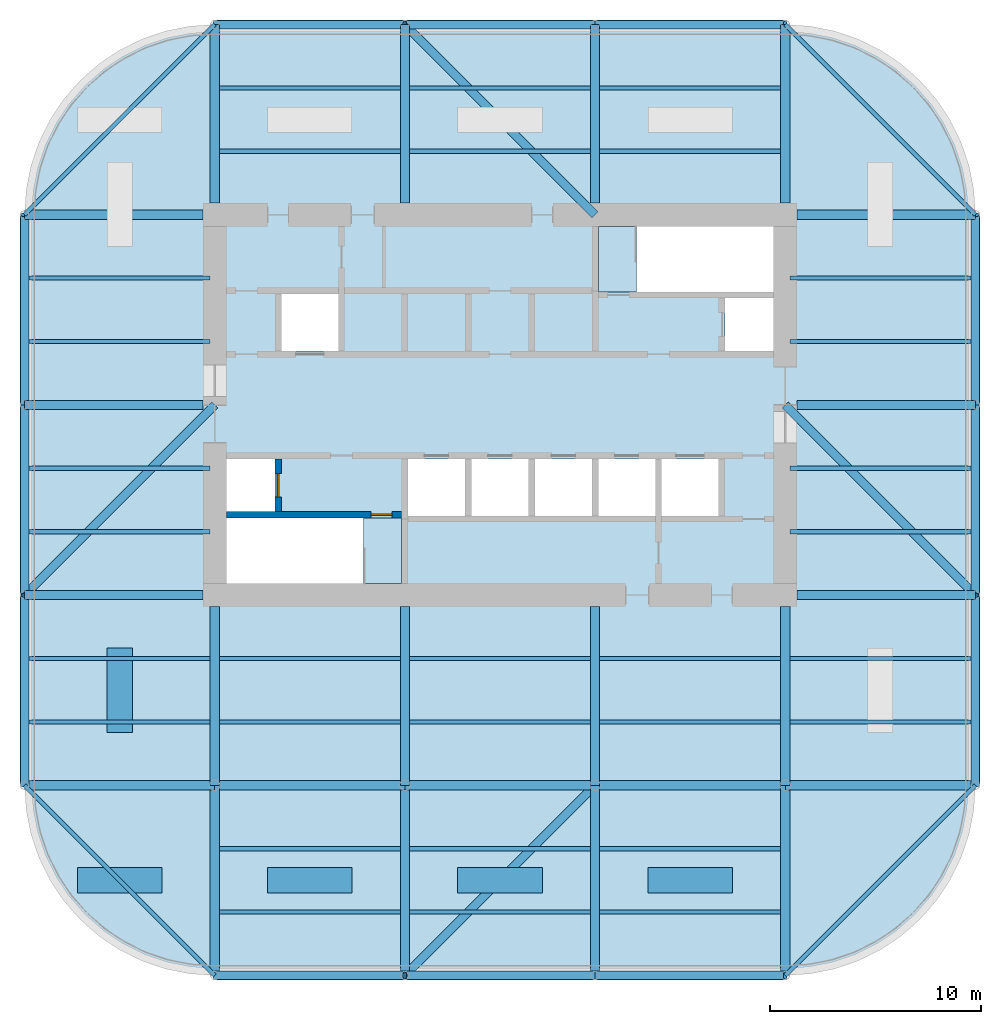
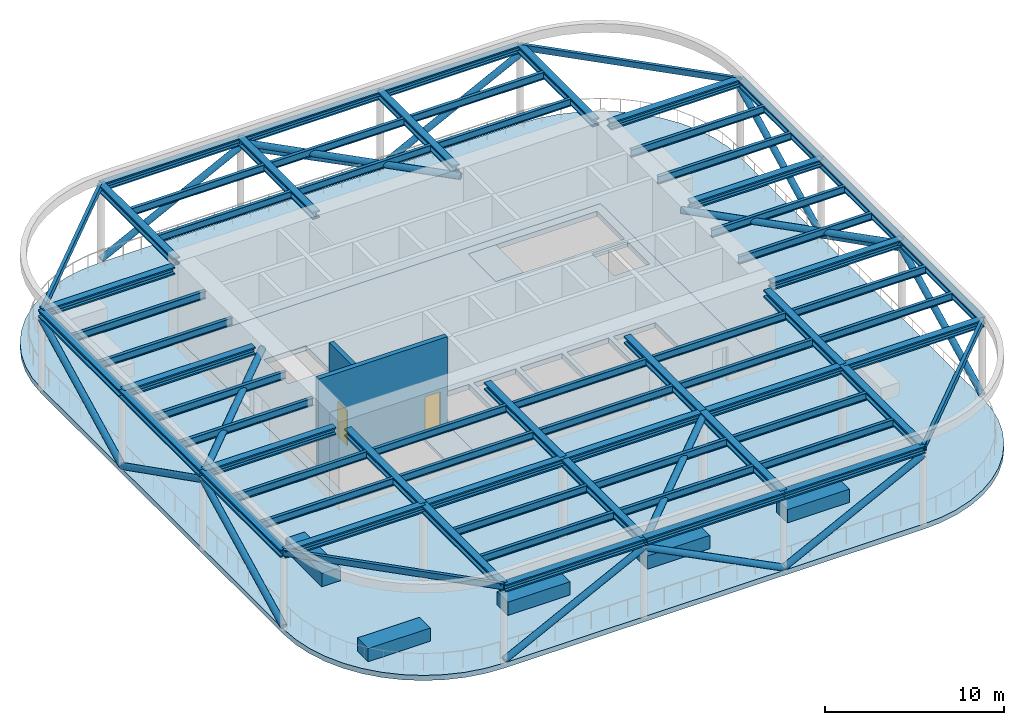
# One storey, part 4 of 8: 46 members, 39 beams, 7 walls, 4 slabs, 2 doors, 2 openings.
"""IFC4 building model written with IfcOpenShell, lengths in metres."""

from ifc_helpers import new_model, si_unit, direction, frame, frame_2d, origin, origin_2d, place, context, subcontext, project, spatial, polyline, rectangle, hollow_rectangle, hollow_circle, i_section, outline, extrude, material, layer, layer_set, material_profile, profile_set, type_object, element, fill, save


model = new_model("IFC4")

# Units and contexts
model_context = context("Model", 3, precision=1e-05, world=origin(), true_north=direction((0.0, 1.0)))
body_context = subcontext(model_context, "Body", "Model", "MODEL_VIEW")
ifc_project = project(units=[si_unit("LENGTHUNIT", "METRE"), si_unit("AREAUNIT", "SQUARE_METRE"), si_unit("VOLUMEUNIT", "CUBIC_METRE"), si_unit("PLANEANGLEUNIT", "RADIAN"), si_unit("MASSUNIT", "GRAM", prefix="KILO")], contexts=[model_context])

# Site, building, storey
site_placement = place(None, origin())
site = spatial("IfcSite", under=ifc_project, at=site_placement, CompositionType="ELEMENT")
building_placement = place(site_placement, origin())
building = spatial("IfcBuilding", under=site, at=building_placement, Name="Zorevar Civic Tower", CompositionType="ELEMENT")
storey_placement = place(building_placement, frame((0.0, 0.0, 311.800048828125)))
storey = spatial("IfcBuildingStorey", under=building, at=storey_placement, Name="RF", CompositionType="ELEMENT", Elevation=311.800048828125)

# Beams
ifc_material_1 = material(Name="Steel S460M (HISTAR 460)", Category="steel")
ifc_material_profile_1 = material_profile(ifc_material_1, i_section(OverallWidth=0.431884765625, OverallDepth=0.498046875, WebThickness=0.0556640625, FlangeThickness=0.0888671875, FilletRadius=0.014892578125, at=origin_2d()), Name="HD 400x744")
ifc_profile_set_1 = profile_set([ifc_material_profile_1], Name="Steel S460M (HISTAR 460)")
beam_type_1 = type_object("IfcBeamType", Name="Canopy beam HD 400x744", PredefinedType="BEAM", material=ifc_profile_set_1)
for number, where, z_axis, x_axis, name in (
    (1, (18.0, 0.0, 5.200927734375), (1.0, 0.0, 0.0), (0.0, 1.0, 0.0), "Canopy beam"),
    (2, (27.0, 0.0, 5.200927734375), (1.0, 0.0, 0.0), (0.0, 1.0, 0.0), "Canopy beam"),
    (3, (36.0, 0.0, 5.200927734375), (1.0, 0.0, 0.0), (0.0, 1.0, 0.0), "Canopy beam"),
    (4, (9.0, 9.0, 5.200927734375), (1.0, 0.0, 0.0), (0.0, 1.0, 0.0), "Canopy beam"),
    (5, (18.0, 9.0, 5.200927734375), (1.0, 0.0, 0.0), (0.0, 1.0, 0.0), "Canopy beam"),
    (6, (27.0, 9.0, 5.200927734375), (1.0, 0.0, 0.0), (0.0, 1.0, 0.0), "Canopy beam"),
    (7, (36.0, 9.0, 5.200927734375), (1.0, 0.0, 0.0), (0.0, 1.0, 0.0), "Canopy beam"),
    (8, (45.0, 9.0, 5.200927734375), (1.0, 0.0, 0.0), (0.0, 1.0, 0.0), "Canopy beam"),
):
    element("IfcBeam", number, at=place(storey_placement, frame(where, z_axis=z_axis, x_axis=x_axis)), inside=storey, type_object=beam_type_1, Name=name, PredefinedType="BEAM", context=body_context, shape_type="SweptSolid", body=[
        extrude(i_section(OverallWidth=0.431884765625, OverallDepth=0.498046875, WebThickness=0.0556640625, FlangeThickness=0.0888671875, FilletRadius=0.014892578125, at=origin_2d()), origin(), (0.0, 0.0, 1.0), 9.0),
    ])
for number, where, z_axis, x_axis, name in (
    (9, (9.0, 18.0, 5.200927734375), (1.0, 0.0, 0.0), (0.0, 1.0, 0.0), "Canopy beam"),
    (10, (45.550048828125, 18.0, 5.200927734375), (1.0, 0.0, 0.0), (0.0, 1.0, 0.0), "Canopy beam"),
    (11, (9.0, 27.0, 5.200927734375), (1.0, 0.0, 0.0), (0.0, 1.0, 0.0), "Canopy beam"),
    (12, (45.550048828125, 27.0, 5.200927734375), (1.0, 0.0, 0.0), (0.0, 1.0, 0.0), "Canopy beam"),
    (13, (9.0, 36.0, 5.200927734375), (1.0, 0.0, 0.0), (0.0, 1.0, 0.0), "Canopy beam"),
    (14, (45.550048828125, 36.0, 5.200927734375), (1.0, 0.0, 0.0), (0.0, 1.0, 0.0), "Canopy beam"),
):
    element("IfcBeam", number, at=place(storey_placement, frame(where, z_axis=z_axis, x_axis=x_axis)), inside=storey, type_object=beam_type_1, Name=name, PredefinedType="BEAM", context=body_context, shape_type="SweptSolid", body=[
        extrude(i_section(OverallWidth=0.431884765625, OverallDepth=0.498046875, WebThickness=0.0556640625, FlangeThickness=0.0888671875, FilletRadius=0.014892578125, at=origin_2d()), origin(), (0.0, 0.0, 1.0), 8.449951171875),
    ])
for number, where, z_axis, x_axis, name in (
    (15, (18.0, 45.0, 5.200927734375), (1.0, 0.0, 0.0), (0.0, 1.0, 0.0), "Canopy beam"),
    (16, (27.0, 45.0, 5.200927734375), (1.0, 0.0, 0.0), (0.0, 1.0, 0.0), "Canopy beam"),
    (17, (36.0, 45.0, 5.200927734375), (1.0, 0.0, 0.0), (0.0, 1.0, 0.0), "Canopy beam"),
    (18, (9.0, 9.0, 5.200927734375), (0.0, 1.0, 0.0), (-1.0, 0.0, 0.0), "Canopy beam"),
    (19, (9.0, 18.0, 5.200927734375), (0.0, 1.0, 0.0), (-1.0, 0.0, 0.0), "Canopy beam"),
    (20, (9.0, 27.0, 5.200927734375), (0.0, 1.0, 0.0), (-1.0, 0.0, 0.0), "Canopy beam"),
    (21, (18.0, 0.0, 5.200927734375), (0.0, 1.0, 0.0), (-1.0, 0.0, 0.0), "Canopy beam"),
):
    element("IfcBeam", number, at=place(storey_placement, frame(where, z_axis=z_axis, x_axis=x_axis)), inside=storey, type_object=beam_type_1, Name=name, PredefinedType="BEAM", context=body_context, shape_type="SweptSolid", body=[
        extrude(i_section(OverallWidth=0.431884765625, OverallDepth=0.498046875, WebThickness=0.0556640625, FlangeThickness=0.0888671875, FilletRadius=0.014892578125, at=origin_2d()), origin(), (0.0, 0.0, 1.0), 9.0),
    ])
for number, where, z_axis, x_axis, name in (
    (22, (18.0, 9.0, 5.200927734375), (0.0, 1.0, 0.0), (-1.0, 0.0, 0.0), "Canopy beam"),
    (23, (18.0, 36.550048828125, 5.200927734375), (0.0, 1.0, 0.0), (-1.0, 0.0, 0.0), "Canopy beam"),
):
    element("IfcBeam", number, at=place(storey_placement, frame(where, z_axis=z_axis, x_axis=x_axis)), inside=storey, type_object=beam_type_1, Name=name, PredefinedType="BEAM", context=body_context, shape_type="SweptSolid", body=[
        extrude(i_section(OverallWidth=0.431884765625, OverallDepth=0.498046875, WebThickness=0.0556640625, FlangeThickness=0.0888671875, FilletRadius=0.014892578125, at=origin_2d()), origin(), (0.0, 0.0, 1.0), 8.449951171875),
    ])
beam_1_placement = place(storey_placement, frame((27.0, 0.0, 5.200927734375), z_axis=(0.0, 1.0, 0.0), x_axis=(-1.0, 0.0, 0.0)))
element("IfcBeam", 24, at=beam_1_placement, inside=storey, type_object=beam_type_1, Name="Canopy beam", PredefinedType="BEAM", context=body_context, shape_type="SweptSolid", body=[
    extrude(i_section(OverallWidth=0.431884765625, OverallDepth=0.498046875, WebThickness=0.0556640625, FlangeThickness=0.0888671875, FilletRadius=0.014892578125, at=origin_2d()), origin(), (0.0, 0.0, 1.0), 9.0),
])
for number, where, z_axis, x_axis, name in (
    (25, (27.0, 9.0, 5.200927734375), (0.0, 1.0, 0.0), (-1.0, 0.0, 0.0), "Canopy beam"),
    (26, (27.0, 36.550048828125, 5.200927734375), (0.0, 1.0, 0.0), (-1.0, 0.0, 0.0), "Canopy beam"),
):
    element("IfcBeam", number, at=place(storey_placement, frame(where, z_axis=z_axis, x_axis=x_axis)), inside=storey, type_object=beam_type_1, Name=name, PredefinedType="BEAM", context=body_context, shape_type="SweptSolid", body=[
        extrude(i_section(OverallWidth=0.431884765625, OverallDepth=0.498046875, WebThickness=0.0556640625, FlangeThickness=0.0888671875, FilletRadius=0.014892578125, at=origin_2d()), origin(), (0.0, 0.0, 1.0), 8.449951171875),
    ])
beam_2_placement = place(storey_placement, frame((36.0, 0.0, 5.200927734375), z_axis=(0.0, 1.0, 0.0), x_axis=(-1.0, 0.0, 0.0)))
element("IfcBeam", 27, at=beam_2_placement, inside=storey, type_object=beam_type_1, Name="Canopy beam", PredefinedType="BEAM", context=body_context, shape_type="SweptSolid", body=[
    extrude(i_section(OverallWidth=0.431884765625, OverallDepth=0.498046875, WebThickness=0.0556640625, FlangeThickness=0.0888671875, FilletRadius=0.014892578125, at=origin_2d()), origin(), (0.0, 0.0, 1.0), 9.0),
])
for number, where, z_axis, x_axis, name in (
    (28, (36.0, 9.0, 5.200927734375), (0.0, 1.0, 0.0), (-1.0, 0.0, 0.0), "Canopy beam"),
    (29, (36.0, 36.550048828125, 5.200927734375), (0.0, 1.0, 0.0), (-1.0, 0.0, 0.0), "Canopy beam"),
):
    element("IfcBeam", number, at=place(storey_placement, frame(where, z_axis=z_axis, x_axis=x_axis)), inside=storey, type_object=beam_type_1, Name=name, PredefinedType="BEAM", context=body_context, shape_type="SweptSolid", body=[
        extrude(i_section(OverallWidth=0.431884765625, OverallDepth=0.498046875, WebThickness=0.0556640625, FlangeThickness=0.0888671875, FilletRadius=0.014892578125, at=origin_2d()), origin(), (0.0, 0.0, 1.0), 8.449951171875),
    ])
beam_3_placement = place(storey_placement, frame((45.0, 0.0, 5.200927734375), z_axis=(0.0, 1.0, 0.0), x_axis=(-1.0, 0.0, 0.0)))
element("IfcBeam", 30, at=beam_3_placement, inside=storey, type_object=beam_type_1, Name="Canopy beam", PredefinedType="BEAM", context=body_context, shape_type="SweptSolid", body=[
    extrude(i_section(OverallWidth=0.431884765625, OverallDepth=0.498046875, WebThickness=0.0556640625, FlangeThickness=0.0888671875, FilletRadius=0.014892578125, at=origin_2d()), origin(), (0.0, 0.0, 1.0), 9.0),
])
for number, where, z_axis, x_axis, name in (
    (31, (45.0, 9.0, 5.200927734375), (0.0, 1.0, 0.0), (-1.0, 0.0, 0.0), "Canopy beam"),
    (32, (45.0, 36.550048828125, 5.200927734375), (0.0, 1.0, 0.0), (-1.0, 0.0, 0.0), "Canopy beam"),
):
    element("IfcBeam", number, at=place(storey_placement, frame(where, z_axis=z_axis, x_axis=x_axis)), inside=storey, type_object=beam_type_1, Name=name, PredefinedType="BEAM", context=body_context, shape_type="SweptSolid", body=[
        extrude(i_section(OverallWidth=0.431884765625, OverallDepth=0.498046875, WebThickness=0.0556640625, FlangeThickness=0.0888671875, FilletRadius=0.014892578125, at=origin_2d()), origin(), (0.0, 0.0, 1.0), 8.449951171875),
    ])
for number, where, z_axis, x_axis, name in (
    (33, (54.0, 9.0, 5.200927734375), (0.0, 1.0, 0.0), (-1.0, 0.0, 0.0), "Canopy beam"),
    (34, (54.0, 18.0, 5.200927734375), (0.0, 1.0, 0.0), (-1.0, 0.0, 0.0), "Canopy beam"),
    (35, (54.0, 27.0, 5.200927734375), (0.0, 1.0, 0.0), (-1.0, 0.0, 0.0), "Canopy beam"),
):
    element("IfcBeam", number, at=place(storey_placement, frame(where, z_axis=z_axis, x_axis=x_axis)), inside=storey, type_object=beam_type_1, Name=name, PredefinedType="BEAM", context=body_context, shape_type="SweptSolid", body=[
        extrude(i_section(OverallWidth=0.431884765625, OverallDepth=0.498046875, WebThickness=0.0556640625, FlangeThickness=0.0888671875, FilletRadius=0.014892578125, at=origin_2d()), origin(), (0.0, 0.0, 1.0), 9.0),
    ])

# Members
ifc_material_2 = material(Name="Steel S355", Category="steel")
ifc_material_profile_2 = material_profile(ifc_material_2, hollow_circle(Radius=0.203125, WallThickness=0.01611328125, at=origin_2d()), Name="CHS 406.4x16")
ifc_profile_set_2 = profile_set([ifc_material_profile_2], Name="Steel S355")
member_type_1 = type_object("IfcMemberType", Name="Canopy brace CHS 406.4x16", PredefinedType="BRACE", material=ifc_profile_set_2)
for number, where, z_axis, x_axis, name in (
    (36, (27.0, 0.0, 5.030029296875), (0.707106781187, 0.707106781187, 0.0), (-0.707106781187, 0.707106781187, 0.0), "Canopy wind brace"),
    (37, (27.0, 45.0, 5.030029296875), (0.707106781187, -0.707106781187, 0.0), (0.707106781187, 0.707106781187, 0.0), "Canopy wind brace"),
    (38, (9.0, 18.0, 5.030029296875), (0.707106781187, 0.707106781187, 0.0), (-0.707106781187, 0.707106781187, 0.0), "Canopy wind brace"),
    (39, (54.0, 18.0, 5.030029296875), (-0.707106781187, 0.707106781187, 0.0), (-0.707106781187, -0.707106781187, 0.0), "Canopy wind brace"),
):
    element("IfcMember", number, at=place(storey_placement, frame(where, z_axis=z_axis, x_axis=x_axis)), inside=storey, type_object=member_type_1, Name=name, PredefinedType="BRACE", context=body_context, shape_type="SweptSolid", body=[
        extrude(hollow_circle(Radius=0.203125, WallThickness=0.01611328125, at=origin_2d()), origin(), (0.0, 0.0, 1.0), 12.72802734375),
    ])
for number, where, z_axis, x_axis, name in (
    (40, (18.0, 0.0, 0.199951171875), (0.892355270118, 0.0, 0.451333659162), (0.0, 1.0, 0.0), "Canopy vertical brace S"),
    (41, (36.0, 0.0, 0.199951171875), (-0.892355270118, 0.0, 0.451333659162), (0.0, -1.0, 0.0), "Canopy vertical brace S"),
    (42, (36.0, 0.0, 0.199951171875), (0.892355270118, 0.0, 0.451333659162), (0.0, 1.0, 0.0), "Canopy vertical brace S"),
    (43, (18.0, 45.0, 0.199951171875), (0.892355270118, 0.0, 0.451333659162), (0.0, 1.0, 0.0), "Canopy vertical brace N"),
    (44, (36.0, 45.0, 0.199951171875), (-0.892355270118, 0.0, 0.451333659162), (0.0, -1.0, 0.0), "Canopy vertical brace N"),
    (45, (36.0, 45.0, 0.199951171875), (0.892355270118, 0.0, 0.451333659162), (0.0, 1.0, 0.0), "Canopy vertical brace N"),
    (46, (9.0, 9.0, 0.199951171875), (0.0, 0.892355270118, 0.451333659162), (-1.0, 0.0, 0.0), "Canopy vertical brace W"),
    (47, (9.0, 27.0, 0.199951171875), (0.0, -0.892355270118, 0.451333659162), (1.0, 0.0, 0.0), "Canopy vertical brace W"),
    (48, (9.0, 27.0, 0.199951171875), (0.0, 0.892355270118, 0.451333659162), (-1.0, 0.0, 0.0), "Canopy vertical brace W"),
    (49, (54.0, 9.0, 0.199951171875), (0.0, 0.892355270118, 0.451333659162), (-1.0, 0.0, 0.0), "Canopy vertical brace E"),
    (50, (54.0, 27.0, 0.199951171875), (0.0, -0.892355270118, 0.451333659162), (1.0, 0.0, 0.0), "Canopy vertical brace E"),
    (51, (54.0, 27.0, 0.199951171875), (0.0, 0.892355270118, 0.451333659162), (-1.0, 0.0, 0.0), "Canopy vertical brace E"),
):
    element("IfcMember", number, at=place(storey_placement, frame(where, z_axis=z_axis, x_axis=x_axis)), inside=storey, type_object=member_type_1, Name=name, PredefinedType="BRACE", context=body_context, shape_type="SweptSolid", body=[
        extrude(hollow_circle(Radius=0.203125, WallThickness=0.01611328125, at=origin_2d()), origin(), (0.0, 0.0, 1.0), 10.085693359375),
    ])

# Beams
ifc_material_3 = material(Name="Steel S355", Category="steel")
ifc_material_profile_3 = material_profile(ifc_material_3, hollow_rectangle(XDim=0.199951171875, YDim=0.39990234375, WallThickness=0.01611328125, at=origin_2d()), Name="RHS 400x200x16")
ifc_profile_set_3 = profile_set([ifc_material_profile_3], Name="Steel S355")
beam_type_2 = type_object("IfcBeamType", Name="Canopy edge beam RHS 400x200x16", PredefinedType="BEAM", material=ifc_profile_set_3)
for number, where, z_axis, x_axis, name in (
    (52, (45.0, 0.0, 5.25), (0.707106781187, 0.707106781187, 0.0), (-0.707106781187, 0.707106781187, 0.0), "Canopy corner edge beam"),
    (53, (54.0, 36.0, 5.25), (-0.707106781187, 0.707106781187, 0.0), (-0.707106781187, -0.707106781187, 0.0), "Canopy corner edge beam"),
    (54, (18.0, 45.0, 5.25), (-0.707106781187, -0.707106781187, 0.0), (0.707106781187, -0.707106781187, 0.0), "Canopy corner edge beam"),
    (55, (9.0, 9.0, 5.25), (0.707106781187, -0.707106781187, 0.0), (0.707106781187, 0.707106781187, 0.0), "Canopy corner edge beam"),
):
    element("IfcBeam", number, at=place(storey_placement, frame(where, z_axis=z_axis, x_axis=x_axis)), inside=storey, type_object=beam_type_2, Name=name, PredefinedType="BEAM", context=body_context, shape_type="SweptSolid", body=[
        extrude(hollow_rectangle(XDim=0.199951171875, YDim=0.39990234375, WallThickness=0.01611328125, at=origin_2d()), origin(), (0.0, 0.0, 1.0), 12.72802734375),
    ])

# Members
ifc_material_4 = material(Name="Steel S355", Category="steel")
ifc_material_profile_4 = material_profile(ifc_material_4, i_section(OverallWidth=0.199951171875, OverallDepth=0.5, WebThickness=0.01025390625, FlangeThickness=0.01611328125, FilletRadius=0.02099609375, at=origin_2d()), Name="IPE 500")
ifc_profile_set_4 = profile_set([ifc_material_profile_4], Name="Steel S355")
member_type_2 = type_object("IfcMemberType", Name="Canopy purlin IPE 500", PredefinedType="PURLIN", material=ifc_profile_set_4)
for number, where, z_axis, x_axis, name in (
    (56, (9.216064453125, 12.0, 5.199951171875), (1.0, 0.0, 0.0), (0.0, 1.0, 0.0), "Canopy purlin"),
    (57, (9.216064453125, 15.0, 5.199951171875), (1.0, 0.0, 0.0), (0.0, 1.0, 0.0), "Canopy purlin"),
    (58, (9.216064453125, 21.0, 5.199951171875), (1.0, 0.0, 0.0), (0.0, 1.0, 0.0), "Canopy purlin"),
    (59, (9.216064453125, 24.0, 5.199951171875), (1.0, 0.0, 0.0), (0.0, 1.0, 0.0), "Canopy purlin"),
    (60, (9.216064453125, 30.0, 5.199951171875), (1.0, 0.0, 0.0), (0.0, 1.0, 0.0), "Canopy purlin"),
    (61, (9.216064453125, 33.0, 5.199951171875), (1.0, 0.0, 0.0), (0.0, 1.0, 0.0), "Canopy purlin"),
    (62, (18.216064453125, 3.0, 5.199951171875), (1.0, 0.0, 0.0), (0.0, 1.0, 0.0), "Canopy purlin"),
    (63, (18.216064453125, 6.0, 5.199951171875), (1.0, 0.0, 0.0), (0.0, 1.0, 0.0), "Canopy purlin"),
    (64, (18.216064453125, 12.0, 5.199951171875), (1.0, 0.0, 0.0), (0.0, 1.0, 0.0), "Canopy purlin"),
    (65, (18.216064453125, 15.0, 5.199951171875), (1.0, 0.0, 0.0), (0.0, 1.0, 0.0), "Canopy purlin"),
    (66, (18.216064453125, 39.0, 5.199951171875), (1.0, 0.0, 0.0), (0.0, 1.0, 0.0), "Canopy purlin"),
    (67, (18.216064453125, 42.0, 5.199951171875), (1.0, 0.0, 0.0), (0.0, 1.0, 0.0), "Canopy purlin"),
    (68, (27.216064453125, 3.0, 5.199951171875), (1.0, 0.0, 0.0), (0.0, 1.0, 0.0), "Canopy purlin"),
    (69, (27.216064453125, 6.0, 5.199951171875), (1.0, 0.0, 0.0), (0.0, 1.0, 0.0), "Canopy purlin"),
    (70, (27.216064453125, 12.0, 5.199951171875), (1.0, 0.0, 0.0), (0.0, 1.0, 0.0), "Canopy purlin"),
    (71, (27.216064453125, 15.0, 5.199951171875), (1.0, 0.0, 0.0), (0.0, 1.0, 0.0), "Canopy purlin"),
    (72, (27.216064453125, 39.0, 5.199951171875), (1.0, 0.0, 0.0), (0.0, 1.0, 0.0), "Canopy purlin"),
    (73, (27.216064453125, 42.0, 5.199951171875), (1.0, 0.0, 0.0), (0.0, 1.0, 0.0), "Canopy purlin"),
    (74, (36.216064453125, 3.0, 5.199951171875), (1.0, 0.0, 0.0), (0.0, 1.0, 0.0), "Canopy purlin"),
    (75, (36.216064453125, 6.0, 5.199951171875), (1.0, 0.0, 0.0), (0.0, 1.0, 0.0), "Canopy purlin"),
    (76, (36.216064453125, 12.0, 5.199951171875), (1.0, 0.0, 0.0), (0.0, 1.0, 0.0), "Canopy purlin"),
    (77, (36.216064453125, 15.0, 5.199951171875), (1.0, 0.0, 0.0), (0.0, 1.0, 0.0), "Canopy purlin"),
    (78, (36.216064453125, 39.0, 5.199951171875), (1.0, 0.0, 0.0), (0.0, 1.0, 0.0), "Canopy purlin"),
    (79, (36.216064453125, 42.0, 5.199951171875), (1.0, 0.0, 0.0), (0.0, 1.0, 0.0), "Canopy purlin"),
    (80, (45.216064453125, 12.0, 5.199951171875), (1.0, 0.0, 0.0), (0.0, 1.0, 0.0), "Canopy purlin"),
    (81, (45.216064453125, 15.0, 5.199951171875), (1.0, 0.0, 0.0), (0.0, 1.0, 0.0), "Canopy purlin"),
    (82, (45.216064453125, 21.0, 5.199951171875), (1.0, 0.0, 0.0), (0.0, 1.0, 0.0), "Canopy purlin"),
    (83, (45.216064453125, 24.0, 5.199951171875), (1.0, 0.0, 0.0), (0.0, 1.0, 0.0), "Canopy purlin"),
    (84, (45.216064453125, 30.0, 5.199951171875), (1.0, 0.0, 0.0), (0.0, 1.0, 0.0), "Canopy purlin"),
    (85, (45.216064453125, 33.0, 5.199951171875), (1.0, 0.0, 0.0), (0.0, 1.0, 0.0), "Canopy purlin"),
):
    element("IfcMember", number, at=place(storey_placement, frame(where, z_axis=z_axis, x_axis=x_axis)), inside=storey, type_object=member_type_2, Name=name, PredefinedType="PURLIN", context=body_context, shape_type="SweptSolid", body=[
        extrude(i_section(OverallWidth=0.199951171875, OverallDepth=0.5, WebThickness=0.01025390625, FlangeThickness=0.01611328125, FilletRadius=0.02099609375, at=origin_2d()), origin(), (0.0, 0.0, 1.0), 8.56787109375),
    ])

# Slabs
ifc_material_5 = material(Name="Concrete C40/50", Category="concrete")
ifc_layer_1 = layer(ifc_material_5, 0.35009765625)
ifc_layer_set_1 = layer_set([ifc_layer_1], Name="Floor slab 350")
slab_type_1 = type_object("IfcSlabType", Name="Floor slab 350", PredefinedType="FLOOR", material=ifc_layer_set_1)
slab_1_placement = place(storey_placement, frame((0.0, 0.0, -0.35009765625)))
element("IfcSlab", 86, at=slab_1_placement, inside=storey, type_object=slab_type_1, Name="Core floor RF", PredefinedType="FLOOR", context=body_context, shape_type="SweptSolid", body=[
    extrude(outline(polyline([(18.0, 18.0), (45.0, 18.0), (45.0, 36.0), (18.0, 36.0), (18.0, 18.0)]), holes=[polyline([(18.550048828125, 18.550048828125), (26.85009765625, 18.550048828125), (26.85009765625, 21.64990234375), (18.550048828125, 21.64990234375), (18.550048828125, 18.550048828125)]), polyline([(36.14990234375, 32.35009765625), (44.449951171875, 32.35009765625), (44.449951171875, 35.449951171875), (36.14990234375, 35.449951171875), (36.14990234375, 32.35009765625)]), polyline([(18.550048828125, 21.949951171875), (20.85009765625, 21.949951171875), (20.85009765625, 24.449951171875), (18.550048828125, 24.449951171875), (18.550048828125, 21.949951171875)]), polyline([(42.14990234375, 29.550048828125), (44.449951171875, 29.550048828125), (44.449951171875, 32.050048828125), (42.14990234375, 32.050048828125), (42.14990234375, 29.550048828125)]), polyline([(27.14990234375, 21.75), (29.85009765625, 21.75), (29.85009765625, 24.449951171875), (27.14990234375, 24.449951171875), (27.14990234375, 21.75)]), polyline([(30.14990234375, 21.75), (32.85009765625, 21.75), (32.85009765625, 24.449951171875), (30.14990234375, 24.449951171875), (30.14990234375, 21.75)]), polyline([(33.14990234375, 21.75), (35.85009765625, 21.75), (35.85009765625, 24.449951171875), (33.14990234375, 24.449951171875), (33.14990234375, 21.75)]), polyline([(36.14990234375, 21.75), (38.85009765625, 21.75), (38.85009765625, 24.449951171875), (36.14990234375, 24.449951171875), (36.14990234375, 21.75)]), polyline([(39.14990234375, 21.75), (41.85009765625, 21.75), (41.85009765625, 24.449951171875), (39.14990234375, 24.449951171875), (39.14990234375, 21.75)]), polyline([(21.14990234375, 29.550048828125), (23.85009765625, 29.550048828125), (23.85009765625, 32.25), (21.14990234375, 32.25), (21.14990234375, 29.550048828125)])]), origin(), (0.0, 0.0, 1.0), 0.35009765625),
])
ifc_material_6 = material(Name="Concrete C40/50", Category="concrete")
ifc_layer_2 = layer(ifc_material_6, 0.35009765625)
ifc_layer_set_2 = layer_set([ifc_layer_2], Name="Sky garden roof slab 350")
slab_type_2 = type_object("IfcSlabType", Name="Sky garden roof slab 350", PredefinedType="ROOF", material=ifc_layer_set_2)
slab_2_placement = place(storey_placement, frame((0.0, 0.0, -0.35009765625)))
element("IfcSlab", 87, at=slab_2_placement, inside=storey, type_object=slab_type_2, Name="Roof garden slab", PredefinedType="ROOF", context=body_context, shape_type="SweptSolid", body=[
    extrude(outline(polyline([(45.0, 0.0), (46.1748046875, 0.076904296875), (47.329345703125, 0.306640625), (48.444091796875, 0.68505859375), (49.5, 1.205810546875), (50.478759765625, 1.85986328125), (51.364013671875, 2.635986328125), (52.14013671875, 3.521240234375), (52.794189453125, 4.5), (53.31494140625, 5.555908203125), (53.693359375, 6.670654296875), (53.923095703125, 7.8251953125), (54.0, 9.0), (54.0, 36.0), (53.923095703125, 37.1748046875), (53.693359375, 38.329345703125), (53.31494140625, 39.444091796875), (52.794189453125, 40.5), (52.14013671875, 41.478759765625), (51.364013671875, 42.364013671875), (50.478759765625, 43.14013671875), (49.5, 43.794189453125), (48.444091796875, 44.31494140625), (47.329345703125, 44.693359375), (46.1748046875, 44.923095703125), (45.0, 45.0), (18.0, 45.0), (16.8251953125, 44.923095703125), (15.670654296875, 44.693359375), (14.555908203125, 44.31494140625), (13.5, 43.794189453125), (12.521240234375, 43.14013671875), (11.635986328125, 42.364013671875), (10.85986328125, 41.478759765625), (10.205810546875, 40.5), (9.68505859375, 39.444091796875), (9.306640625, 38.329345703125), (9.076904296875, 37.1748046875), (9.0, 36.0), (9.0, 9.0), (9.076904296875, 7.8251953125), (9.306640625, 6.670654296875), (9.68505859375, 5.555908203125), (10.205810546875, 4.5), (10.85986328125, 3.521240234375), (11.635986328125, 2.635986328125), (12.521240234375, 1.85986328125), (13.5, 1.205810546875), (14.555908203125, 0.68505859375), (15.670654296875, 0.306640625), (16.8251953125, 0.076904296875), (18.0, 0.0), (45.0, 0.0)]), holes=[polyline([(18.0, 18.0), (45.0, 18.0), (45.0, 36.0), (18.0, 36.0), (18.0, 18.0)])]), origin(), (0.0, 0.0, 1.0), 0.35009765625),
])
ifc_material_7 = material(Name="Concrete C40/50", Category="concrete")
ifc_layer_3 = layer(ifc_material_7, 0.199951171875)
ifc_layer_set_3 = layer_set([ifc_layer_3], Name="Stair landing 200")
slab_type_3 = type_object("IfcSlabType", Name="Stair landing 200", PredefinedType="LANDING", material=ifc_layer_set_3)
slab_3_placement = place(storey_placement, frame((0.0, 0.0, -0.199951171875)))
element("IfcSlab", 88, at=slab_3_placement, inside=storey, type_object=slab_type_3, Name="Stair ST1 roof landing", PredefinedType="LANDING", context=body_context, shape_type="SweptSolid", body=[
    extrude(outline(polyline([(25.050048828125, 18.550048828125), (26.85009765625, 18.550048828125), (26.85009765625, 21.64990234375), (25.050048828125, 21.64990234375), (25.050048828125, 18.550048828125)])), origin(), (0.0, 0.0, 1.0), 0.199951171875),
])
slab_4_placement = place(storey_placement, frame((0.0, 0.0, -0.199951171875)))
element("IfcSlab", 89, at=slab_4_placement, inside=storey, type_object=slab_type_3, Name="Stair ST2 roof landing", PredefinedType="LANDING", context=body_context, shape_type="SweptSolid", body=[
    extrude(outline(polyline([(37.949951171875, 32.35009765625), (36.14990234375, 32.35009765625), (36.14990234375, 35.449951171875), (37.949951171875, 35.449951171875), (37.949951171875, 32.35009765625)])), origin(), (0.0, 0.0, 1.0), 0.199951171875),
])

# Wall, opening, door
ifc_material_8 = material(Name="Concrete C40/50", Category="concrete")
ifc_layer_4 = layer(ifc_material_8, 0.300048828125)
ifc_layer_set_4 = layer_set([ifc_layer_4], Name="Inner core wall 300")
wall_type_1 = type_object("IfcWallType", Name="Inner core wall 300", PredefinedType="SHEAR", material=ifc_layer_set_4)
wall_1_placement = place(storey_placement, frame((18.550048828125, 21.800048828125, 0.0), z_axis=(0.0, 0.0, 1.0), x_axis=(1.0, 0.0, 0.0)))
wall_1 = element("IfcWall", 90, at=wall_1_placement, inside=storey, type_object=wall_type_1, Name="Inner core wall S00 RF", PredefinedType="SHEAR", context=body_context, shape_type="SweptSolid", body=[
    extrude(rectangle(XDim=8.300048828125, YDim=0.300048828125, at=frame_2d((4.14990234375, 0.0))), origin(), (0.0, 0.0, 1.0), 6.0),
])
opening_1_placement = place(wall_1_placement, frame((6.85009765625, 0.0, 0.0)))
opening_1 = element("IfcOpeningElement", 91, at=opening_1_placement, cuts=wall_1, Name="Opening RF.08", PredefinedType="OPENING", context=body_context, shape_type="SweptSolid", body=[
    extrude(rectangle(XDim=1.0, YDim=2.39990234375, at=frame_2d((0.5, 1.199951171875))), frame((0.0, 0.159912109375, 0.0), z_axis=(0.0, -1.0, 0.0), x_axis=(1.0, 0.0, 0.0)), (0.0, 0.0, 1.0), 0.320068359375),
])
ifc_material_9 = material(Name="Steel door set", Category="steel")
door_type_1 = type_object("IfcDoorType", Name="Fire door FD1 1000x2400", OperationType="SINGLE_SWING_LEFT", PredefinedType="DOOR", material=ifc_material_9)
door_1_placement = place(opening_1_placement, origin())
door_1 = element("IfcDoor", 92, at=door_1_placement, inside=storey, type_object=door_type_1, Name="Door RF 10", OperationType="SINGLE_SWING_RIGHT", OverallHeight=2.39990234375, OverallWidth=1.0, PredefinedType="DOOR", context=body_context, shape_type="SweptSolid", body=[
    extrude(rectangle(XDim=1.0, YDim=2.39990234375, at=frame_2d((0.5, 1.199951171875))), frame((0.0, 0.030029296875, 0.0), z_axis=(0.0, -1.0, 0.0), x_axis=(1.0, 0.0, 0.0)), (0.0, 0.0, 1.0), 0.06005859375),
])
fill(opening_1, door_1)

wall_2_placement = place(storey_placement, frame((21.0, 21.949951171875, 0.0), z_axis=(0.0, 0.0, 1.0), x_axis=(0.0, 1.0, 0.0)))
wall_2 = element("IfcWall", 93, at=wall_2_placement, inside=storey, type_object=wall_type_1, Name="Inner core wall S02 RF", PredefinedType="SHEAR", context=body_context, shape_type="SweptSolid", body=[
    extrude(rectangle(XDim=2.5, YDim=0.300048828125, at=frame_2d((1.25, 0.0))), origin(), (0.0, 0.0, 1.0), 6.0),
])
opening_2_placement = place(wall_2_placement, frame((0.699951171875, 0.0, 0.0)))
opening_2 = element("IfcOpeningElement", 94, at=opening_2_placement, cuts=wall_2, Name="Opening RF.FL1", PredefinedType="OPENING", context=body_context, shape_type="SweptSolid", body=[
    extrude(rectangle(XDim=1.10009765625, YDim=2.39990234375, at=frame_2d((0.550048828125, 1.199951171875))), frame((0.0, 0.159912109375, 0.0), z_axis=(0.0, -1.0, 0.0), x_axis=(1.0, 0.0, 0.0)), (0.0, 0.0, 1.0), 0.320068359375),
])
ifc_material_10 = material(Name="Steel door set", Category="steel")
door_type_2 = type_object("IfcDoorType", Name="Firefighting lift landing door LD3 1100x2400", OperationType="DOUBLE_DOOR_SLIDING", PredefinedType="DOOR", material=ifc_material_10)
door_2_placement = place(opening_2_placement, origin())
door_2 = element("IfcDoor", 95, at=door_2_placement, inside=storey, type_object=door_type_2, Name="Landing door FL1 RF", OperationType="DOUBLE_DOOR_SLIDING", OverallHeight=2.39990234375, OverallWidth=1.10009765625, PredefinedType="DOOR", context=body_context, shape_type="SweptSolid", body=[
    extrude(rectangle(XDim=1.10009765625, YDim=2.39990234375, at=frame_2d((0.550048828125, 1.199951171875))), frame((0.0, 0.030029296875, 0.0), z_axis=(0.0, -1.0, 0.0), x_axis=(1.0, 0.0, 0.0)), (0.0, 0.0, 1.0), 0.06005859375),
])
fill(opening_2, door_2)

# Walls
ifc_material_11 = material(Name="Precast concrete planter", Category="concrete")
ifc_layer_5 = layer(ifc_material_11, 1.199951171875)
ifc_layer_set_5 = layer_set([ifc_layer_5], Name="Planter PL1 1200")
wall_type_2 = type_object("IfcWallType", Name="Planter PL1 1200", PredefinedType="USERDEFINED", material=ifc_layer_set_5)
for number, where, z_axis, x_axis, name in (
    (96, (11.5, 4.5, 0.0), (0.0, 0.0, 1.0), (1.0, 0.0, 0.0), "Planter RF"),
    (97, (20.5, 4.5, 0.0), (0.0, 0.0, 1.0), (1.0, 0.0, 0.0), "Planter RF"),
    (98, (29.5, 4.5, 0.0), (0.0, 0.0, 1.0), (1.0, 0.0, 0.0), "Planter RF"),
    (99, (38.5, 4.5, 0.0), (0.0, 0.0, 1.0), (1.0, 0.0, 0.0), "Planter RF"),
    (100, (13.5, 11.5, 0.0), (0.0, 0.0, 1.0), (0.0, 1.0, 0.0), "Planter RF"),
):
    element("IfcWall", number, at=place(storey_placement, frame(where, z_axis=z_axis, x_axis=x_axis)), inside=storey, type_object=wall_type_2, Name=name, ObjectType="PLANTER", PredefinedType="USERDEFINED", context=body_context, shape_type="SweptSolid", body=[
        extrude(rectangle(XDim=4.0, YDim=1.199951171875, at=frame_2d((2.0, 0.0))), origin(), (0.0, 0.0, 1.0), 0.89990234375),
    ])

save(model, "model.ifc")
